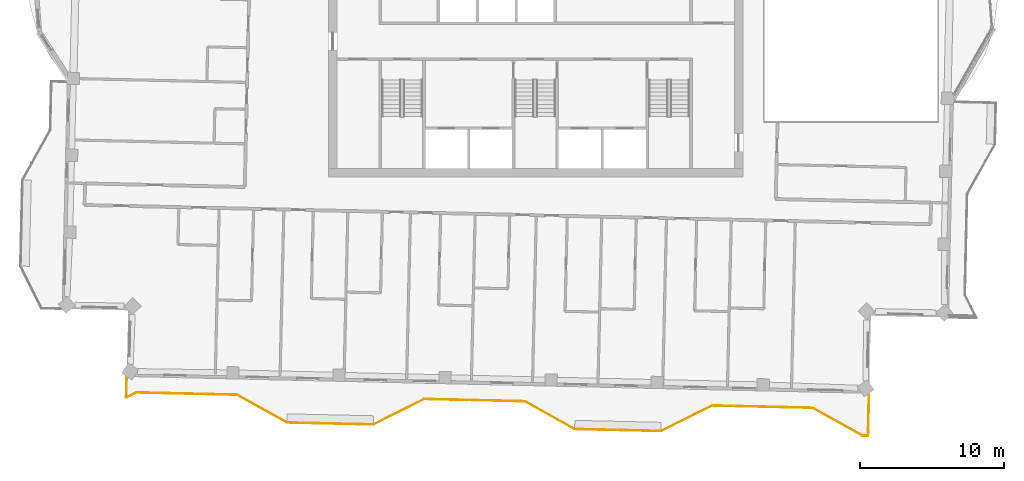
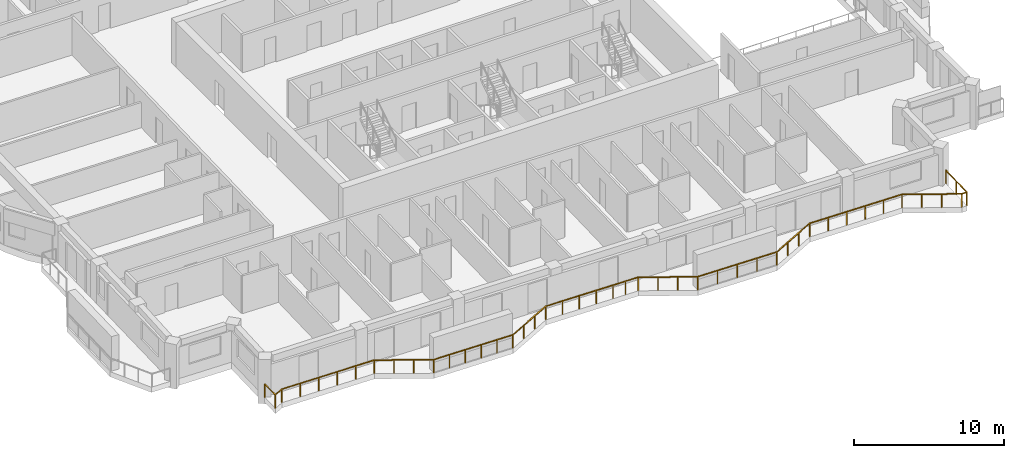
# One storey, part 13 of 15: 1 railing.
"""IFC4 building model written with IfcOpenShell, lengths in metres."""

import ifcopenshell
import ifcopenshell.guid

model = None  # the IFC model being written
_history = None  # IfcOwnerHistory: only IFC2X3 demands one
_inside = {}  # id of a spatial element -> (the spatial element, [elements in it])
_under = {}  # id of a project, library or spatial element -> (it, [spatial elements below it])
_declared = {}  # id of a project -> (the project, [libraries it declares])
_typed = {}  # id of a type object -> (the type object, [elements of that type])
_made_of = {}  # id of a material, layer set ... -> (it, [elements and type objects made of it])


def new_model(schema):
    """Start an empty IFC model of exactly this schema.

    Asked for "IFC4X3", IfcOpenShell would pick the latest addendum, in which some entities
    have other attributes; the version numbers below select the first issue.
    IFC2X3 requires an IfcOwnerHistory on every rooted entity: one is made here for all.
    """
    global model, _history
    if schema == "IFC4X3":
        model = ifcopenshell.file(schema_version=(4, 3, 0, 0))
    else:
        model = ifcopenshell.file(schema=schema)
    _inside.clear()
    _under.clear()
    _declared.clear()
    _typed.clear()
    _made_of.clear()
    _history = None
    if model.schema == "IFC2X3":
        org = make("IfcOrganization", Name="unknown")
        user = make(
            "IfcPersonAndOrganization",
            ThePerson=make("IfcPerson", FamilyName="unknown"),
            TheOrganization=org,
        )
        app = make(
            "IfcApplication",
            ApplicationDeveloper=org,
            Version="unknown",
            ApplicationFullName="unknown",
            ApplicationIdentifier="unknown",
        )
        _history = make(
            "IfcOwnerHistory",
            OwningUser=user,
            OwningApplication=app,
            ChangeAction="ADDED",
            CreationDate=0,
        )
    return model


def make(cls, **values):
    """One entity of the class cls with the attributes given. An attribute that is None is left unset."""
    return model.create_entity(
        cls, **{name: value for name, value in values.items() if value is not None}
    )


def rooted(cls, **values):
    """An entity with a GlobalId (a new one), such as an element, a storey or a relation."""
    return make(cls, GlobalId=ifcopenshell.guid.new(), OwnerHistory=_history, **values)


def si_unit(unit_type, name, prefix=None):
    """IfcSIUnit, for example si_unit("LENGTHUNIT", "METRE", prefix="MILLI")."""
    return make("IfcSIUnit", UnitType=unit_type, Prefix=prefix, Name=name)


def assignment(units):
    """IfcUnitAssignment: the units of a project."""
    return None if units is None else make("IfcUnitAssignment", Units=units)


def point(xyz):
    """IfcCartesianPoint."""
    return None if xyz is None else make("IfcCartesianPoint", Coordinates=xyz)


def direction(xyz):
    """IfcDirection."""
    return None if xyz is None else make("IfcDirection", DirectionRatios=xyz)


def frame(location, z_axis=None, x_axis=None):
    """IfcAxis2Placement3D, a coordinate frame: its origin and axes. An axis left out is left unset."""
    return make(
        "IfcAxis2Placement3D",
        Location=point(location),
        Axis=direction(z_axis),
        RefDirection=direction(x_axis),
    )


def frame_2d(location, x_axis=None):
    """IfcAxis2Placement2D, a coordinate frame in the plane: its origin and x axis."""
    return make(
        "IfcAxis2Placement2D", Location=point(location), RefDirection=direction(x_axis)
    )


def origin():
    """The frame at (0, 0, 0) with its axes left unset."""
    return frame((0.0, 0.0, 0.0))


def origin_2d():
    """The frame at (0, 0) in the plane with its x axis left unset."""
    return frame_2d((0.0, 0.0))


def place(relative_to, where):
    """IfcLocalPlacement: puts the frame where relative to a parent placement (None: the world)."""
    return make(
        "IfcLocalPlacement", PlacementRelTo=relative_to, RelativePlacement=where
    )


def context(
    kind, dimensions, precision=None, world=None, true_north=None, identifier=None
):
    """IfcGeometricRepresentationContext, for example the 3D "Model" context."""
    return make(
        "IfcGeometricRepresentationContext",
        ContextIdentifier=identifier,
        ContextType=kind,
        CoordinateSpaceDimension=dimensions,
        Precision=precision,
        WorldCoordinateSystem=world,
        TrueNorth=true_north,
    )


def subcontext(parent, identifier, kind, view, scale=None):
    """IfcGeometricRepresentationSubContext, for example "Body" below "Model"."""
    return make(
        "IfcGeometricRepresentationSubContext",
        ContextIdentifier=identifier,
        ContextType=kind,
        ParentContext=parent,
        TargetScale=scale,
        TargetView=view,
    )


def project(units=None, contexts=None):
    """IfcProject with its units and contexts."""
    return rooted(
        "IfcProject",
        Name="project",
        RepresentationContexts=contexts,
        UnitsInContext=assignment(units),
    )


def spatial(cls, under=None, at=None, **own):
    """A site, building, storey or space (cls), placed at a placement, below another one or the project."""
    s = rooted(cls, ObjectPlacement=at, **own)
    if under is not None:
        _under.setdefault(under.id(), (under, []))[1].append(s)
    return s


def profile(cls, at=None, kind="AREA", **sizes):
    """A parametric profile (cls). Its sizes go by their IFC names, for example OverallWidth=200.0."""
    return make(cls, ProfileType=kind, Position=at, **sizes)


def rectangle(**sizes):
    """IfcRectangleProfileDef."""
    return profile("IfcRectangleProfileDef", **sizes)


def extrude(swept, where, along, depth):
    """IfcExtrudedAreaSolid: the profile swept, set in the frame where, extruded along a direction by depth."""
    return make(
        "IfcExtrudedAreaSolid",
        SweptArea=swept,
        Position=where,
        ExtrudedDirection=direction(along),
        Depth=depth,
    )


def shape(context_of_items, identifier, shape_type, items):
    """IfcShapeRepresentation: the items that make up one representation, for example the "Body"."""
    return make(
        "IfcShapeRepresentation",
        ContextOfItems=context_of_items,
        RepresentationIdentifier=identifier,
        RepresentationType=shape_type,
        Items=items,
    )


def material(Name=None, Category=None):
    """IfcMaterial."""
    return make("IfcMaterial", Name=Name, Category=Category)


def made_of(thing, what):
    """Note that an element or type object is made of a material, layer set ...; save() writes the relation."""
    if what is not None:
        _made_of.setdefault(what.id(), (what, []))[1].append(thing)
    return thing


def type_object(cls, material=None, **own):
    """A type object (cls), such as IfcWallType, which elements share."""
    return made_of(rooted(cls, **own), material)


def element(
    cls,
    number,
    at=None,
    inside=None,
    cuts=None,
    type_object=None,
    material=None,
    context=None,
    identifier="Body",
    shape_type=None,
    held_by="IfcProductDefinitionShape",
    body=None,
    shapes=None,
    **own,
):
    """One element of the class cls, such as IfcWall. Its Tag is "e" and its number.

    at: its placement. inside: the storey or other place that contains it. cuts: it is an
    opening in that element (IfcRelVoidsElement). A single representation is given by context,
    identifier, shape_type and body (its items); several are given by shapes. held_by: the class
    of the entity that holds the representations. save() writes the other relations.
    """
    e = rooted(cls, Tag="e%d" % number, ObjectPlacement=at, **own)
    if body is not None:
        shapes = [shape(context, identifier, shape_type, body)]
    if shapes is not None:
        e.Representation = make(held_by, Representations=shapes)
    if inside is not None:
        _inside.setdefault(inside.id(), (inside, []))[1].append(e)
    if cuts is not None:
        rooted(
            "IfcRelVoidsElement", RelatingBuildingElement=cuts, RelatedOpeningElement=e
        )
    if type_object is not None:
        _typed.setdefault(type_object.id(), (type_object, []))[1].append(e)
    return made_of(e, material)


def aggregate(whole, parts):
    """IfcRelAggregates: a whole, such as a stair, and the parts it consists of."""
    return rooted("IfcRelAggregates", RelatingObject=whole, RelatedObjects=parts)


def save(model, path):
    """Write the relations noted so far, then the file.

    IfcRelAggregates (storeys below a building ...), IfcRelContainedInSpatialStructure (elements
    in a storey), IfcRelDefinesByType, IfcRelAssociatesMaterial and IfcRelDeclares: one each for
    every whole, place, type object, material and project.
    """
    for whole, parts in _under.values():
        aggregate(whole, parts)
    for where, things in _inside.values():
        rooted(
            "IfcRelContainedInSpatialStructure",
            RelatedElements=things,
            RelatingStructure=where,
        )
    for kind, things in _typed.values():
        rooted("IfcRelDefinesByType", RelatedObjects=things, RelatingType=kind)
    for what, things in _made_of.values():
        rooted("IfcRelAssociatesMaterial", RelatedObjects=things, RelatingMaterial=what)
    for by, libraries in _declared.values():
        rooted("IfcRelDeclares", RelatingContext=by, RelatedDefinitions=libraries)
    model.write(path)


model = new_model("IFC4")

# Units and contexts
model_context = context("Model", 3, precision=1e-05, world=origin(), true_north=direction((0.0, 1.0)))
body_context = subcontext(model_context, "Body", "Model", "MODEL_VIEW")
ifc_project = project(units=[si_unit("LENGTHUNIT", "METRE"), si_unit("AREAUNIT", "SQUARE_METRE"), si_unit("VOLUMEUNIT", "CUBIC_METRE"), si_unit("PLANEANGLEUNIT", "RADIAN"), si_unit("MASSUNIT", "GRAM", prefix="KILO")], contexts=[model_context])

# Site, building, storey
site_placement = place(None, origin())
site = spatial("IfcSite", under=ifc_project, at=site_placement, CompositionType="ELEMENT")
building_placement = place(site_placement, origin())
building = spatial("IfcBuilding", under=site, at=building_placement, Name="Mangrove Gate Tower", CompositionType="ELEMENT")
storey_placement = place(building_placement, frame((0.0, 0.0, 320.5)))
storey = spatial("IfcBuildingStorey", under=building, at=storey_placement, Name="L82", CompositionType="ELEMENT", Elevation=320.5)

# Railing
ifc_material = material(Name="Stainless steel grade 316 with laminated glass infill", Category="steel")
railing_type = type_object("IfcRailingType", Name="Balcony guard 1100", PredefinedType="GUARDRAIL", material=ifc_material)
railing_placement = place(storey_placement, frame((-28.41796875, -25.2890625, 0.0)))
element("IfcRailing", 1, at=railing_placement, inside=storey, type_object=railing_type, Name="GUARD L82 S1", PredefinedType="GUARDRAIL", context=body_context, shape_type="SweptSolid", body=[
    extrude(rectangle(XDim=0.048095703125, YDim=0.048095703125, at=origin_2d()), frame((0.0, 0.0, 1.076171875), z_axis=(-0.022376080773, -0.999749624161, 0.0), x_axis=(0.999749624161, -0.022376080773, 0.0)), (0.0, 0.0, 1.0), 1.42919921875),
    extrude(rectangle(XDim=0.048095703125, YDim=0.048095703125, at=origin_2d()), frame((-0.031982421875, -1.428955078125, 1.076171875), z_axis=(0.894427191, 0.4472135955, 0.0), x_axis=(-0.4472135955, 0.894427191, 0.0)), (0.0, 0.0, 1.0), 0.79150390625),
    extrude(rectangle(XDim=0.048095703125, YDim=0.048095703125, at=origin_2d()), frame((0.676025390625, -1.074951171875, 1.076171875), z_axis=(0.999742195543, -0.022705559911, 0.0), x_axis=(0.022705559911, 0.999742195543, 0.0)), (0.0, 0.0, 1.0), 6.999755859375),
    extrude(rectangle(XDim=0.048095703125, YDim=0.048095703125, at=origin_2d()), frame((7.674072265625, -1.23388671875, 1.076171875), z_axis=(0.873242256246, -0.487286324359, 0.0), x_axis=(0.487286324359, 0.873242256246, 0.0)), (0.0, 0.0, 1.0), 3.95849609375),
    extrude(rectangle(XDim=0.048095703125, YDim=0.048095703125, at=origin_2d()), frame((11.130859375, -3.162841796875, 1.076171875), z_axis=(0.999743178102, -0.022662255828, 0.0), x_axis=(0.022662255828, 0.999743178102, 0.0)), (0.0, 0.0, 1.0), 6.00048828125),
    extrude(rectangle(XDim=0.048095703125, YDim=0.048095703125, at=origin_2d()), frame((17.1298828125, -3.298828125, 1.076171875), z_axis=(0.894501186021, 0.447065574839, 0.0), x_axis=(-0.447065574839, 0.894501186021, 0.0)), (0.0, 0.0, 1.0), 3.958740234375),
    extrude(rectangle(XDim=0.048095703125, YDim=0.048095703125, at=origin_2d()), frame((20.6708984375, -1.529052734375, 1.076171875), z_axis=(0.999741390457, -0.022740980771, 0.0), x_axis=(0.022740980771, 0.999741390457, 0.0)), (0.0, 0.0, 1.0), 5.099365234375),
    extrude(rectangle(XDim=0.048095703125, YDim=0.048095703125, at=origin_2d()), frame((25.76904296875, -1.64501953125, 1.076171875), z_axis=(0.999744349692, -0.022610512149, 0.0), x_axis=(0.022610512149, 0.999744349692, 0.0)), (0.0, 0.0, 1.0), 1.900390625),
    extrude(rectangle(XDim=0.048095703125, YDim=0.048095703125, at=origin_2d()), frame((27.6689453125, -1.68798828125, 1.076171875), z_axis=(0.87325689943, -0.48726008209, 0.0), x_axis=(0.48726008209, 0.87325689943, 0.0)), (0.0, 0.0, 1.0), 3.958740234375),
    extrude(rectangle(XDim=0.048095703125, YDim=0.048095703125, at=origin_2d()), frame((31.1259765625, -3.616943359375, 1.076171875), z_axis=(0.999743094499, -0.022665943652, 0.0), x_axis=(0.022665943652, 0.999743094499, 0.0)), (0.0, 0.0, 1.0), 5.99951171875),
    extrude(rectangle(XDim=0.048095703125, YDim=0.048095703125, at=origin_2d()), frame((37.1240234375, -3.7529296875, 1.076171875), z_axis=(0.894525821107, 0.447016280881, 0.0), x_axis=(-0.447016280881, 0.894525821107, 0.0)), (0.0, 0.0, 1.0), 3.959716796875),
    extrude(rectangle(XDim=0.048095703125, YDim=0.048095703125, at=origin_2d()), frame((40.666015625, -1.98291015625, 1.076171875), z_axis=(0.999745352708, -0.022566119286, 0.0), x_axis=(0.022566119286, 0.999745352708, 0.0)), (0.0, 0.0, 1.0), 6.999755859375),
    extrude(rectangle(XDim=0.048095703125, YDim=0.048095703125, at=origin_2d()), frame((47.6640625, -2.140869140625, 1.076171875), z_axis=(0.873242256246, -0.487286324359, 0.0), x_axis=(0.487286324359, 0.873242256246, 0.0)), (0.0, 0.0, 1.0), 3.95849609375),
    extrude(rectangle(XDim=0.048095703125, YDim=0.048095703125, at=origin_2d()), frame((51.120849609375, -4.06982421875, 1.076171875), z_axis=(0.999745287892, -0.022568990636, 0.0), x_axis=(0.022568990636, 0.999745287892, 0.0)), (0.0, 0.0, 1.0), 0.400146484375),
    extrude(rectangle(XDim=0.048095703125, YDim=0.048095703125, at=origin_2d()), frame((51.52099609375, -4.078857421875, 1.076171875), z_axis=(0.022654696127, 0.999743349437, 0.0), x_axis=(-0.999743349437, 0.022654696127, 0.0)), (0.0, 0.0, 1.0), 2.90966796875),
    extrude(rectangle(XDim=0.0419921875, YDim=0.0419921875, at=origin_2d()), origin(), (0.0, 0.0, 1.0), 1.052001953125),
    extrude(rectangle(XDim=0.0419921875, YDim=0.0419921875, at=origin_2d()), frame((-0.031982421875, -1.428955078125, 0.0)), (0.0, 0.0, 1.0), 1.052001953125),
    extrude(rectangle(XDim=0.0419921875, YDim=0.0419921875, at=origin_2d()), frame((0.676025390625, -1.074951171875, 0.0)), (0.0, 0.0, 1.0), 1.052001953125),
    extrude(rectangle(XDim=0.0419921875, YDim=0.0419921875, at=origin_2d()), frame((2.07568359375, -1.106689453125, 0.0)), (0.0, 0.0, 1.0), 1.052001953125),
    extrude(rectangle(XDim=0.0419921875, YDim=0.0419921875, at=origin_2d()), frame((3.475341796875, -1.138427734375, 0.0)), (0.0, 0.0, 1.0), 1.052001953125),
    extrude(rectangle(XDim=0.0419921875, YDim=0.0419921875, at=origin_2d()), frame((4.874755859375, -1.17041015625, 0.0)), (0.0, 0.0, 1.0), 1.052001953125),
    extrude(rectangle(XDim=0.0419921875, YDim=0.0419921875, at=origin_2d()), frame((6.2744140625, -1.2021484375, 0.0)), (0.0, 0.0, 1.0), 1.052001953125),
    extrude(rectangle(XDim=0.0419921875, YDim=0.0419921875, at=origin_2d()), frame((7.674072265625, -1.23388671875, 0.0)), (0.0, 0.0, 1.0), 1.052001953125),
    extrude(rectangle(XDim=0.0419921875, YDim=0.0419921875, at=origin_2d()), frame((8.826416015625, -1.876953125, 0.0)), (0.0, 0.0, 1.0), 1.052001953125),
    extrude(rectangle(XDim=0.0419921875, YDim=0.0419921875, at=origin_2d()), frame((9.978515625, -2.519775390625, 0.0)), (0.0, 0.0, 1.0), 1.052001953125),
    extrude(rectangle(XDim=0.0419921875, YDim=0.0419921875, at=origin_2d()), frame((11.130859375, -3.162841796875, 0.0)), (0.0, 0.0, 1.0), 1.052001953125),
    extrude(rectangle(XDim=0.0419921875, YDim=0.0419921875, at=origin_2d()), frame((12.33056640625, -3.18994140625, 0.0)), (0.0, 0.0, 1.0), 1.052001953125),
    extrude(rectangle(XDim=0.0419921875, YDim=0.0419921875, at=origin_2d()), frame((13.530517578125, -3.21728515625, 0.0)), (0.0, 0.0, 1.0), 1.052001953125),
    extrude(rectangle(XDim=0.0419921875, YDim=0.0419921875, at=origin_2d()), frame((14.730224609375, -3.244384765625, 0.0)), (0.0, 0.0, 1.0), 1.052001953125),
    extrude(rectangle(XDim=0.0419921875, YDim=0.0419921875, at=origin_2d()), frame((15.93017578125, -3.271728515625, 0.0)), (0.0, 0.0, 1.0), 1.052001953125),
    extrude(rectangle(XDim=0.0419921875, YDim=0.0419921875, at=origin_2d()), frame((17.1298828125, -3.298828125, 0.0)), (0.0, 0.0, 1.0), 1.052001953125),
    extrude(rectangle(XDim=0.0419921875, YDim=0.0419921875, at=origin_2d()), frame((18.310302734375, -2.708984375, 0.0)), (0.0, 0.0, 1.0), 1.052001953125),
    extrude(rectangle(XDim=0.0419921875, YDim=0.0419921875, at=origin_2d()), frame((19.490478515625, -2.118896484375, 0.0)), (0.0, 0.0, 1.0), 1.052001953125),
    extrude(rectangle(XDim=0.0419921875, YDim=0.0419921875, at=origin_2d()), frame((20.6708984375, -1.529052734375, 0.0)), (0.0, 0.0, 1.0), 1.052001953125),
    extrude(rectangle(XDim=0.0419921875, YDim=0.0419921875, at=origin_2d()), frame((21.9453125, -1.55810546875, 0.0)), (0.0, 0.0, 1.0), 1.052001953125),
    extrude(rectangle(XDim=0.0419921875, YDim=0.0419921875, at=origin_2d()), frame((23.219970703125, -1.5869140625, 0.0)), (0.0, 0.0, 1.0), 1.052001953125),
    extrude(rectangle(XDim=0.0419921875, YDim=0.0419921875, at=origin_2d()), frame((24.49462890625, -1.615966796875, 0.0)), (0.0, 0.0, 1.0), 1.052001953125),
    extrude(rectangle(XDim=0.0419921875, YDim=0.0419921875, at=origin_2d()), frame((25.76904296875, -1.64501953125, 0.0)), (0.0, 0.0, 1.0), 1.052001953125),
    extrude(rectangle(XDim=0.0419921875, YDim=0.0419921875, at=origin_2d()), frame((26.718994140625, -1.66650390625, 0.0)), (0.0, 0.0, 1.0), 1.052001953125),
    extrude(rectangle(XDim=0.0419921875, YDim=0.0419921875, at=origin_2d()), frame((27.6689453125, -1.68798828125, 0.0)), (0.0, 0.0, 1.0), 1.052001953125),
    extrude(rectangle(XDim=0.0419921875, YDim=0.0419921875, at=origin_2d()), frame((28.8212890625, -2.3310546875, 0.0)), (0.0, 0.0, 1.0), 1.052001953125),
    extrude(rectangle(XDim=0.0419921875, YDim=0.0419921875, at=origin_2d()), frame((29.9736328125, -2.973876953125, 0.0)), (0.0, 0.0, 1.0), 1.052001953125),
    extrude(rectangle(XDim=0.0419921875, YDim=0.0419921875, at=origin_2d()), frame((31.1259765625, -3.616943359375, 0.0)), (0.0, 0.0, 1.0), 1.052001953125),
    extrude(rectangle(XDim=0.0419921875, YDim=0.0419921875, at=origin_2d()), frame((32.62548828125, -3.65087890625, 0.0)), (0.0, 0.0, 1.0), 1.052001953125),
    extrude(rectangle(XDim=0.0419921875, YDim=0.0419921875, at=origin_2d()), frame((34.125, -3.68505859375, 0.0)), (0.0, 0.0, 1.0), 1.052001953125),
    extrude(rectangle(XDim=0.0419921875, YDim=0.0419921875, at=origin_2d()), frame((35.62451171875, -3.718994140625, 0.0)), (0.0, 0.0, 1.0), 1.052001953125),
    extrude(rectangle(XDim=0.0419921875, YDim=0.0419921875, at=origin_2d()), frame((37.1240234375, -3.7529296875, 0.0)), (0.0, 0.0, 1.0), 1.052001953125),
    extrude(rectangle(XDim=0.0419921875, YDim=0.0419921875, at=origin_2d()), frame((38.3046875, -3.162841796875, 0.0)), (0.0, 0.0, 1.0), 1.052001953125),
    extrude(rectangle(XDim=0.0419921875, YDim=0.0419921875, at=origin_2d()), frame((39.4853515625, -2.572998046875, 0.0)), (0.0, 0.0, 1.0), 1.052001953125),
    extrude(rectangle(XDim=0.0419921875, YDim=0.0419921875, at=origin_2d()), frame((40.666015625, -1.98291015625, 0.0)), (0.0, 0.0, 1.0), 1.052001953125),
    extrude(rectangle(XDim=0.0419921875, YDim=0.0419921875, at=origin_2d()), frame((42.065673828125, -2.014404296875, 0.0)), (0.0, 0.0, 1.0), 1.052001953125),
    extrude(rectangle(XDim=0.0419921875, YDim=0.0419921875, at=origin_2d()), frame((43.46533203125, -2.046142578125, 0.0)), (0.0, 0.0, 1.0), 1.052001953125),
    extrude(rectangle(XDim=0.0419921875, YDim=0.0419921875, at=origin_2d()), frame((44.86474609375, -2.07763671875, 0.0)), (0.0, 0.0, 1.0), 1.052001953125),
    extrude(rectangle(XDim=0.0419921875, YDim=0.0419921875, at=origin_2d()), frame((46.264404296875, -2.109375, 0.0)), (0.0, 0.0, 1.0), 1.052001953125),
    extrude(rectangle(XDim=0.0419921875, YDim=0.0419921875, at=origin_2d()), frame((47.6640625, -2.140869140625, 0.0)), (0.0, 0.0, 1.0), 1.052001953125),
    extrude(rectangle(XDim=0.0419921875, YDim=0.0419921875, at=origin_2d()), frame((48.81640625, -2.783935546875, 0.0)), (0.0, 0.0, 1.0), 1.052001953125),
    extrude(rectangle(XDim=0.0419921875, YDim=0.0419921875, at=origin_2d()), frame((49.968505859375, -3.4267578125, 0.0)), (0.0, 0.0, 1.0), 1.052001953125),
    extrude(rectangle(XDim=0.0419921875, YDim=0.0419921875, at=origin_2d()), frame((51.120849609375, -4.06982421875, 0.0)), (0.0, 0.0, 1.0), 1.052001953125),
    extrude(rectangle(XDim=0.0419921875, YDim=0.0419921875, at=origin_2d()), frame((51.52099609375, -4.078857421875, 0.0)), (0.0, 0.0, 1.0), 1.052001953125),
    extrude(rectangle(XDim=0.0419921875, YDim=0.0419921875, at=origin_2d()), frame((51.553955078125, -2.62451171875, 0.0)), (0.0, 0.0, 1.0), 1.052001953125),
    extrude(rectangle(XDim=0.0419921875, YDim=0.0419921875, at=origin_2d()), frame((51.5869140625, -1.169921875, 0.0)), (0.0, 0.0, 1.0), 1.052001953125),
])

save(model, "model.ifc")
